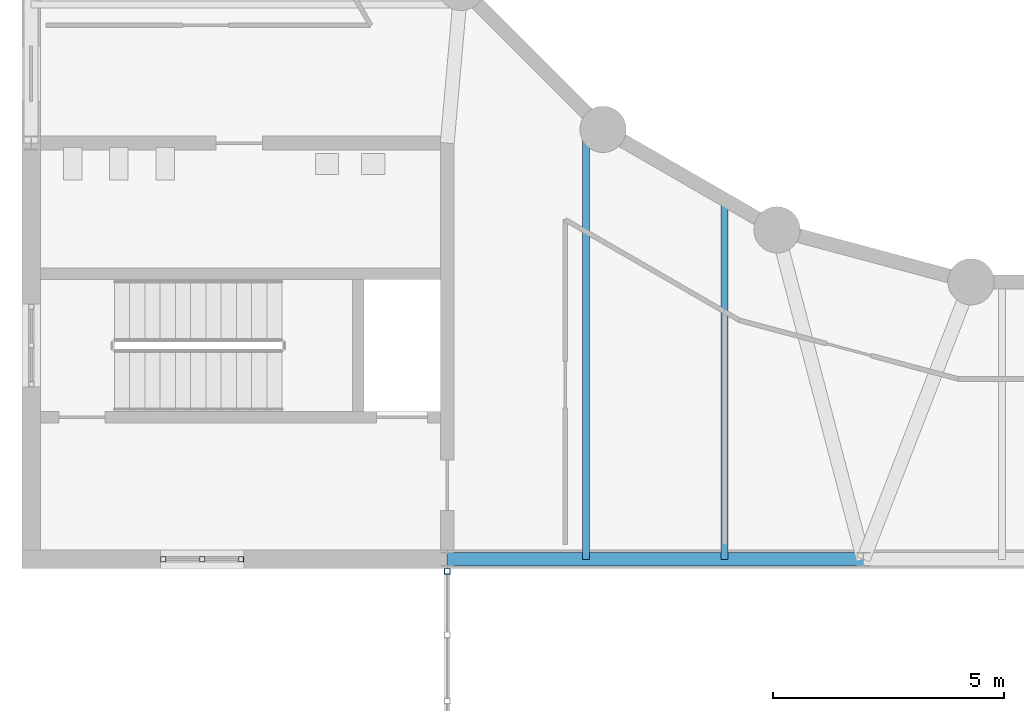
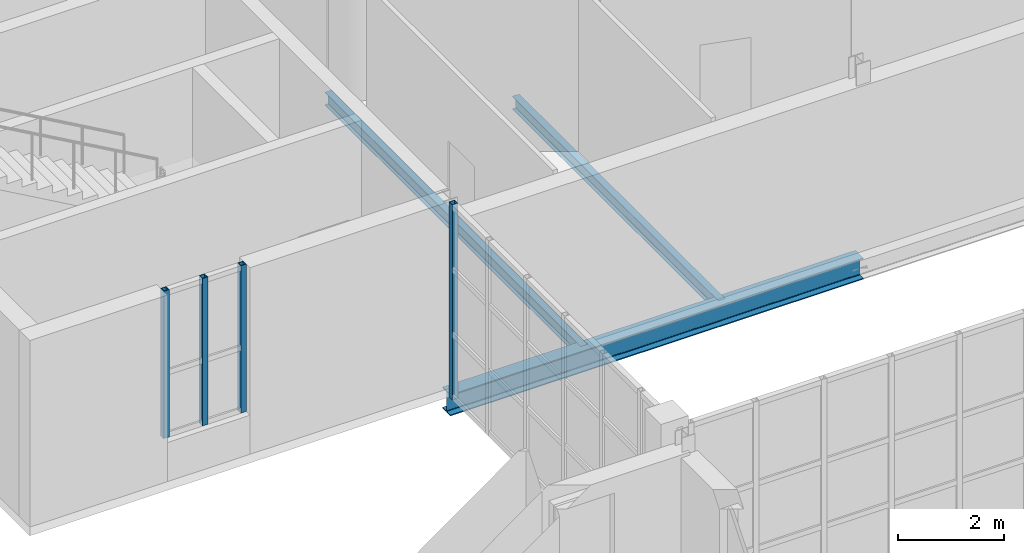
# One storey, part 43 of 134: 4 members, 3 beams, 2 elements without a shape of their own.
"""IFC4 building model written with IfcOpenShell, lengths in metres."""

import ifcopenshell
import ifcopenshell.guid

model = None  # the IFC model being written
_history = None  # IfcOwnerHistory: only IFC2X3 demands one
_inside = {}  # id of a spatial element -> (the spatial element, [elements in it])
_under = {}  # id of a project, library or spatial element -> (it, [spatial elements below it])
_declared = {}  # id of a project -> (the project, [libraries it declares])
_typed = {}  # id of a type object -> (the type object, [elements of that type])
_made_of = {}  # id of a material, layer set ... -> (it, [elements and type objects made of it])


def new_model(schema):
    """Start an empty IFC model of exactly this schema.

    Asked for "IFC4X3", IfcOpenShell would pick the latest addendum, in which some entities
    have other attributes; the version numbers below select the first issue.
    IFC2X3 requires an IfcOwnerHistory on every rooted entity: one is made here for all.
    """
    global model, _history
    if schema == "IFC4X3":
        model = ifcopenshell.file(schema_version=(4, 3, 0, 0))
    else:
        model = ifcopenshell.file(schema=schema)
    _inside.clear()
    _under.clear()
    _declared.clear()
    _typed.clear()
    _made_of.clear()
    _history = None
    if model.schema == "IFC2X3":
        org = make("IfcOrganization", Name="unknown")
        user = make(
            "IfcPersonAndOrganization",
            ThePerson=make("IfcPerson", FamilyName="unknown"),
            TheOrganization=org,
        )
        app = make(
            "IfcApplication",
            ApplicationDeveloper=org,
            Version="unknown",
            ApplicationFullName="unknown",
            ApplicationIdentifier="unknown",
        )
        _history = make(
            "IfcOwnerHistory",
            OwningUser=user,
            OwningApplication=app,
            ChangeAction="ADDED",
            CreationDate=0,
        )
    return model


def make(cls, **values):
    """One entity of the class cls with the attributes given. An attribute that is None is left unset."""
    return model.create_entity(
        cls, **{name: value for name, value in values.items() if value is not None}
    )


def rooted(cls, **values):
    """An entity with a GlobalId (a new one), such as an element, a storey or a relation."""
    return make(cls, GlobalId=ifcopenshell.guid.new(), OwnerHistory=_history, **values)


def si_unit(unit_type, name, prefix=None):
    """IfcSIUnit, for example si_unit("LENGTHUNIT", "METRE", prefix="MILLI")."""
    return make("IfcSIUnit", UnitType=unit_type, Prefix=prefix, Name=name)


def assignment(units):
    """IfcUnitAssignment: the units of a project."""
    return None if units is None else make("IfcUnitAssignment", Units=units)


def point(xyz):
    """IfcCartesianPoint."""
    return None if xyz is None else make("IfcCartesianPoint", Coordinates=xyz)


def direction(xyz):
    """IfcDirection."""
    return None if xyz is None else make("IfcDirection", DirectionRatios=xyz)


def frame(location, z_axis=None, x_axis=None):
    """IfcAxis2Placement3D, a coordinate frame: its origin and axes. An axis left out is left unset."""
    return make(
        "IfcAxis2Placement3D",
        Location=point(location),
        Axis=direction(z_axis),
        RefDirection=direction(x_axis),
    )


def frame_2d(location, x_axis=None):
    """IfcAxis2Placement2D, a coordinate frame in the plane: its origin and x axis."""
    return make(
        "IfcAxis2Placement2D", Location=point(location), RefDirection=direction(x_axis)
    )


def origin():
    """The frame at (0, 0, 0) with its axes left unset."""
    return frame((0.0, 0.0, 0.0))


def origin_2d():
    """The frame at (0, 0) in the plane with its x axis left unset."""
    return frame_2d((0.0, 0.0))


def place(relative_to, where):
    """IfcLocalPlacement: puts the frame where relative to a parent placement (None: the world)."""
    return make(
        "IfcLocalPlacement", PlacementRelTo=relative_to, RelativePlacement=where
    )


def context(
    kind, dimensions, precision=None, world=None, true_north=None, identifier=None
):
    """IfcGeometricRepresentationContext, for example the 3D "Model" context."""
    return make(
        "IfcGeometricRepresentationContext",
        ContextIdentifier=identifier,
        ContextType=kind,
        CoordinateSpaceDimension=dimensions,
        Precision=precision,
        WorldCoordinateSystem=world,
        TrueNorth=true_north,
    )


def subcontext(parent, identifier, kind, view, scale=None):
    """IfcGeometricRepresentationSubContext, for example "Body" below "Model"."""
    return make(
        "IfcGeometricRepresentationSubContext",
        ContextIdentifier=identifier,
        ContextType=kind,
        ParentContext=parent,
        TargetScale=scale,
        TargetView=view,
    )


def project(units=None, contexts=None):
    """IfcProject with its units and contexts."""
    return rooted(
        "IfcProject",
        Name="project",
        RepresentationContexts=contexts,
        UnitsInContext=assignment(units),
    )


def spatial(cls, under=None, at=None, **own):
    """A site, building, storey or space (cls), placed at a placement, below another one or the project."""
    s = rooted(cls, ObjectPlacement=at, **own)
    if under is not None:
        _under.setdefault(under.id(), (under, []))[1].append(s)
    return s


def profile(cls, at=None, kind="AREA", **sizes):
    """A parametric profile (cls). Its sizes go by their IFC names, for example OverallWidth=200.0."""
    return make(cls, ProfileType=kind, Position=at, **sizes)


def hollow_rectangle(**sizes):
    """IfcRectangleHollowProfileDef."""
    return profile("IfcRectangleHollowProfileDef", **sizes)


def i_section(**sizes):
    """IfcIShapeProfileDef."""
    return profile("IfcIShapeProfileDef", **sizes)


def extrude(swept, where, along, depth):
    """IfcExtrudedAreaSolid: the profile swept, set in the frame where, extruded along a direction by depth."""
    return make(
        "IfcExtrudedAreaSolid",
        SweptArea=swept,
        Position=where,
        ExtrudedDirection=direction(along),
        Depth=depth,
    )


def shape(context_of_items, identifier, shape_type, items):
    """IfcShapeRepresentation: the items that make up one representation, for example the "Body"."""
    return make(
        "IfcShapeRepresentation",
        ContextOfItems=context_of_items,
        RepresentationIdentifier=identifier,
        RepresentationType=shape_type,
        Items=items,
    )


def material(Name=None, Category=None):
    """IfcMaterial."""
    return make("IfcMaterial", Name=Name, Category=Category)


def material_profile(
    of_material, cross_section, Name=None, Category=None, Priority=None
):
    """IfcMaterialProfile: a cross section and its material."""
    return make(
        "IfcMaterialProfile",
        Name=Name,
        Material=of_material,
        Profile=cross_section,
        Priority=Priority,
        Category=Category,
    )


def profile_set(profiles, Name=None, composite=None):
    """IfcMaterialProfileSet."""
    return make(
        "IfcMaterialProfileSet",
        Name=Name,
        MaterialProfiles=profiles,
        CompositeProfile=composite,
    )


def made_of(thing, what):
    """Note that an element or type object is made of a material, layer set ...; save() writes the relation."""
    if what is not None:
        _made_of.setdefault(what.id(), (what, []))[1].append(thing)
    return thing


def type_object(cls, material=None, **own):
    """A type object (cls), such as IfcWallType, which elements share."""
    return made_of(rooted(cls, **own), material)


def element(
    cls,
    number,
    at=None,
    inside=None,
    cuts=None,
    type_object=None,
    material=None,
    context=None,
    identifier="Body",
    shape_type=None,
    held_by="IfcProductDefinitionShape",
    body=None,
    shapes=None,
    **own,
):
    """One element of the class cls, such as IfcWall. Its Tag is "e" and its number.

    at: its placement. inside: the storey or other place that contains it. cuts: it is an
    opening in that element (IfcRelVoidsElement). A single representation is given by context,
    identifier, shape_type and body (its items); several are given by shapes. held_by: the class
    of the entity that holds the representations. save() writes the other relations.
    """
    e = rooted(cls, Tag="e%d" % number, ObjectPlacement=at, **own)
    if body is not None:
        shapes = [shape(context, identifier, shape_type, body)]
    if shapes is not None:
        e.Representation = make(held_by, Representations=shapes)
    if inside is not None:
        _inside.setdefault(inside.id(), (inside, []))[1].append(e)
    if cuts is not None:
        rooted(
            "IfcRelVoidsElement", RelatingBuildingElement=cuts, RelatedOpeningElement=e
        )
    if type_object is not None:
        _typed.setdefault(type_object.id(), (type_object, []))[1].append(e)
    return made_of(e, material)


def aggregate(whole, parts):
    """IfcRelAggregates: a whole, such as a stair, and the parts it consists of."""
    return rooted("IfcRelAggregates", RelatingObject=whole, RelatedObjects=parts)


def save(model, path):
    """Write the relations noted so far, then the file.

    IfcRelAggregates (storeys below a building ...), IfcRelContainedInSpatialStructure (elements
    in a storey), IfcRelDefinesByType, IfcRelAssociatesMaterial and IfcRelDeclares: one each for
    every whole, place, type object, material and project.
    """
    for whole, parts in _under.values():
        aggregate(whole, parts)
    for where, things in _inside.values():
        rooted(
            "IfcRelContainedInSpatialStructure",
            RelatedElements=things,
            RelatingStructure=where,
        )
    for kind, things in _typed.values():
        rooted("IfcRelDefinesByType", RelatedObjects=things, RelatingType=kind)
    for what, things in _made_of.values():
        rooted("IfcRelAssociatesMaterial", RelatedObjects=things, RelatingMaterial=what)
    for by, libraries in _declared.values():
        rooted("IfcRelDeclares", RelatingContext=by, RelatedDefinitions=libraries)
    model.write(path)


model = new_model("IFC4")

# Units and contexts
model_context = context("Model", 3, precision=1e-05, world=origin(), true_north=direction((0.0, 1.0)))
body_context = subcontext(model_context, "Body", "Model", "MODEL_VIEW")
ifc_project = project(units=[si_unit("LENGTHUNIT", "METRE"), si_unit("AREAUNIT", "SQUARE_METRE"), si_unit("VOLUMEUNIT", "CUBIC_METRE"), si_unit("PLANEANGLEUNIT", "RADIAN"), si_unit("MASSUNIT", "GRAM", prefix="KILO")], contexts=[model_context])

# Site, building, storey
site_placement = place(None, origin())
site = spatial("IfcSite", under=ifc_project, at=site_placement, CompositionType="ELEMENT")
building_placement = place(site_placement, origin())
building = spatial("IfcBuilding", under=site, at=building_placement, Name="Golden Quay Civic Hall", CompositionType="ELEMENT")
storey_placement = place(building_placement, frame((0.0, 0.0, 5.39990234375)))
storey = spatial("IfcBuildingStorey", under=building, at=storey_placement, Name="L01", CompositionType="ELEMENT", Elevation=5.39990234375)

# Curtain wall, members
ifc_material_1 = material(Name="Fire-resisting glass and steel", Category="steel")
curtain_wall_type_1 = type_object("IfcCurtainWallType", Name="Fire-resisting glazed stair curtain wall EI 120", PredefinedType="NOTDEFINED", material=ifc_material_1)
curtain_wall_1_placement = place(storey_placement, origin())
curtain_wall_1 = element("IfcCurtainWall", 1, at=curtain_wall_1_placement, inside=storey, type_object=curtain_wall_type_1, Name="CW4 stair curtain wall", PredefinedType="NOTDEFINED")
ifc_material_2 = material(Name="Steel S355", Category="steel")
ifc_material_profile_1 = material_profile(ifc_material_2, hollow_rectangle(XDim=0.1201171875, YDim=0.1201171875, WallThickness=0.012451171875, at=origin_2d()), Name="SHS 120x120x12.5")
ifc_profile_set_1 = profile_set([ifc_material_profile_1], Name="Steel S355")
member_type_1 = type_object("IfcMemberType", Name="Fire-resisting steel stair mullion 120 x 120", PredefinedType="MULLION", material=ifc_profile_set_1)
member_1_placement = place(storey_placement, frame((65.860107421875, 63.0, 0.900146484375), z_axis=(0.0, 0.0, 1.0), x_axis=(0.0, 1.0, 0.0)))
member_1 = element("IfcMember", 2, at=member_1_placement, type_object=member_type_1, Name="CW4 mullion 1", PredefinedType="MULLION", context=body_context, shape_type="SweptSolid", body=[
    extrude(hollow_rectangle(XDim=0.1201171875, YDim=0.1201171875, WallThickness=0.012451171875, at=origin_2d()), origin(), (0.0, 0.0, 1.0), 3.39990234375),
])
member_2_placement = place(storey_placement, frame((66.699951171875, 63.0, 0.900146484375), z_axis=(0.0, 0.0, 1.0), x_axis=(0.0, 1.0, 0.0)))
member_2 = element("IfcMember", 3, at=member_2_placement, type_object=member_type_1, Name="CW4 mullion 2", PredefinedType="MULLION", context=body_context, shape_type="SweptSolid", body=[
    extrude(hollow_rectangle(XDim=0.1201171875, YDim=0.1201171875, WallThickness=0.012451171875, at=origin_2d()), origin(), (0.0, 0.0, 1.0), 3.39990234375),
])
member_3_placement = place(storey_placement, frame((67.5400390625, 63.0, 0.900146484375), z_axis=(0.0, 0.0, 1.0), x_axis=(0.0, 1.0, 0.0)))
member_3 = element("IfcMember", 4, at=member_3_placement, type_object=member_type_1, Name="CW4 mullion 3", PredefinedType="MULLION", context=body_context, shape_type="SweptSolid", body=[
    extrude(hollow_rectangle(XDim=0.1201171875, YDim=0.1201171875, WallThickness=0.012451171875, at=origin_2d()), origin(), (0.0, 0.0, 1.0), 3.39990234375),
])
aggregate(curtain_wall_1, [member_1, member_2, member_3])

# Beams
ifc_material_3 = material(Name="Steel S355", Category="steel")
ifc_material_profile_2 = material_profile(ifc_material_3, i_section(OverallWidth=0.300048828125, OverallDepth=0.489990234375, WebThickness=0.011962890625, FlangeThickness=0.02294921875, FilletRadius=0.027099609375, at=origin_2d()), Name="HEA 500")
ifc_profile_set_2 = profile_set([ifc_material_profile_2], Name="Steel S355")
beam_type_1 = type_object("IfcBeamType", Name="Steel girder HEA 500", PredefinedType="BEAM", material=ifc_profile_set_2)
beam_1_placement = place(storey_placement, frame((72.0, 63.0, -0.44482421875), z_axis=(1.0, 0.0, 0.0), x_axis=(0.0, 1.0, 0.0)))
element("IfcBeam", 5, at=beam_1_placement, inside=storey, type_object=beam_type_1, Name="Perimeter girder 1", PredefinedType="BEAM", context=body_context, shape_type="SweptSolid", body=[
    extrude(i_section(OverallWidth=0.300048828125, OverallDepth=0.489990234375, WebThickness=0.011962890625, FlangeThickness=0.02294921875, FilletRadius=0.027099609375, at=origin_2d()), origin(), (0.0, 0.0, 1.0), 9.0),
])
ifc_material_4 = material(Name="Steel S355", Category="steel")
ifc_material_profile_3 = material_profile(ifc_material_4, i_section(OverallWidth=0.14990234375, OverallDepth=0.300048828125, WebThickness=0.007080078125, FlangeThickness=0.0107421875, FilletRadius=0.014892578125, at=origin_2d()), Name="IPE 300")
ifc_profile_set_3 = profile_set([ifc_material_profile_3], Name="Steel S355")
beam_type_2 = type_object("IfcBeamType", Name="Steel joist IPE 300", PredefinedType="JOIST", material=ifc_profile_set_3)
beam_2_placement = place(storey_placement, frame((75.0, 63.0, -0.349853515625), z_axis=(0.0, 1.0, 0.0), x_axis=(-1.0, 0.0, 0.0)))
element("IfcBeam", 6, at=beam_2_placement, inside=storey, type_object=beam_type_2, Name="Floor joist 1", PredefinedType="JOIST", context=body_context, shape_type="SweptSolid", body=[
    extrude(i_section(OverallWidth=0.14990234375, OverallDepth=0.300048828125, WebThickness=0.007080078125, FlangeThickness=0.0107421875, FilletRadius=0.014892578125, at=origin_2d()), origin(), (0.0, 0.0, 1.0), 9.66552734375),
])
beam_3_placement = place(storey_placement, frame((78.0, 63.0, -0.349853515625), z_axis=(0.0, 1.0, 0.0), x_axis=(-1.0, 0.0, 0.0)))
element("IfcBeam", 7, at=beam_3_placement, inside=storey, type_object=beam_type_2, Name="Floor joist 2", PredefinedType="JOIST", context=body_context, shape_type="SweptSolid", body=[
    extrude(i_section(OverallWidth=0.14990234375, OverallDepth=0.300048828125, WebThickness=0.007080078125, FlangeThickness=0.0107421875, FilletRadius=0.014892578125, at=origin_2d()), origin(), (0.0, 0.0, 1.0), 7.777587890625),
])

# Curtain wall, member
ifc_material_5 = material(Name="Glass and aluminium", Category="aluminium")
curtain_wall_type_2 = type_object("IfcCurtainWallType", Name="Glazed curtain wall 1500 module", PredefinedType="NOTDEFINED", material=ifc_material_5)
curtain_wall_2_placement = place(storey_placement, origin())
curtain_wall_2 = element("IfcCurtainWall", 8, at=curtain_wall_2_placement, inside=storey, type_object=curtain_wall_type_2, Name="CW1 curtain wall", PredefinedType="NOTDEFINED")
ifc_material_6 = material(Name="Steel S355", Category="steel")
ifc_material_profile_4 = material_profile(ifc_material_6, hollow_rectangle(XDim=0.1201171875, YDim=0.1201171875, WallThickness=0.008056640625, at=origin_2d()), Name="SHS 120x120x8")
ifc_profile_set_4 = profile_set([ifc_material_profile_4], Name="Steel S355")
member_type_2 = type_object("IfcMemberType", Name="Steel mullion SHS 120x120x8", PredefinedType="MULLION", material=ifc_profile_set_4)
member_4_placement = place(storey_placement, frame((72.0, 62.739990234375, -0.199951171875), z_axis=(0.0, 0.0, 1.0), x_axis=(-1.0, 0.0, 0.0)))
member_4 = element("IfcMember", 9, at=member_4_placement, type_object=member_type_2, Name="CW1 mullion 7", PredefinedType="MULLION", context=body_context, shape_type="SweptSolid", body=[
    extrude(hollow_rectangle(XDim=0.1201171875, YDim=0.1201171875, WallThickness=0.008056640625, at=origin_2d()), origin(), (0.0, 0.0, 1.0), 4.5),
])
aggregate(curtain_wall_2, [member_4])

save(model, "model.ifc")
